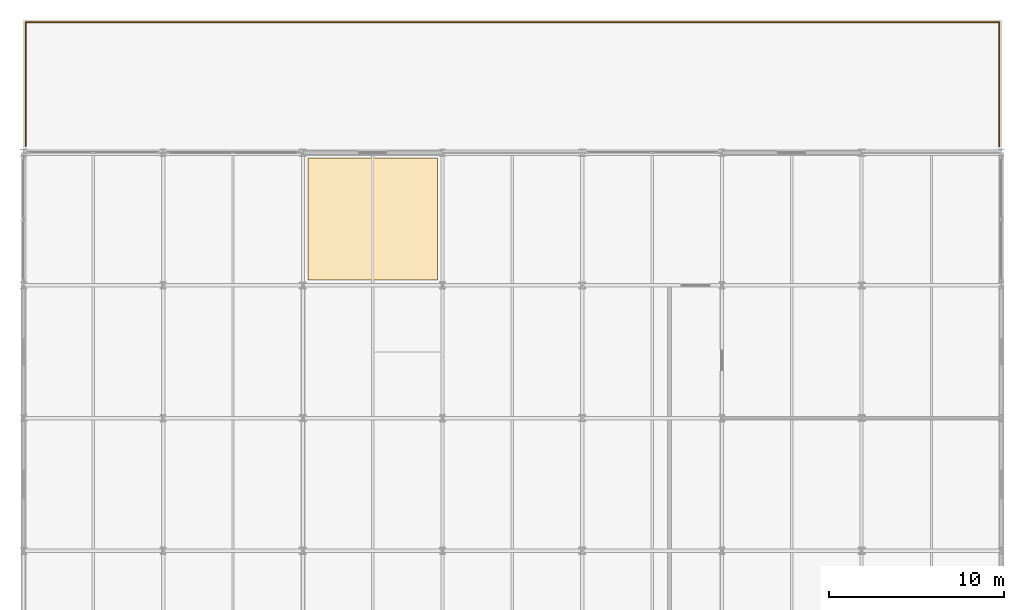
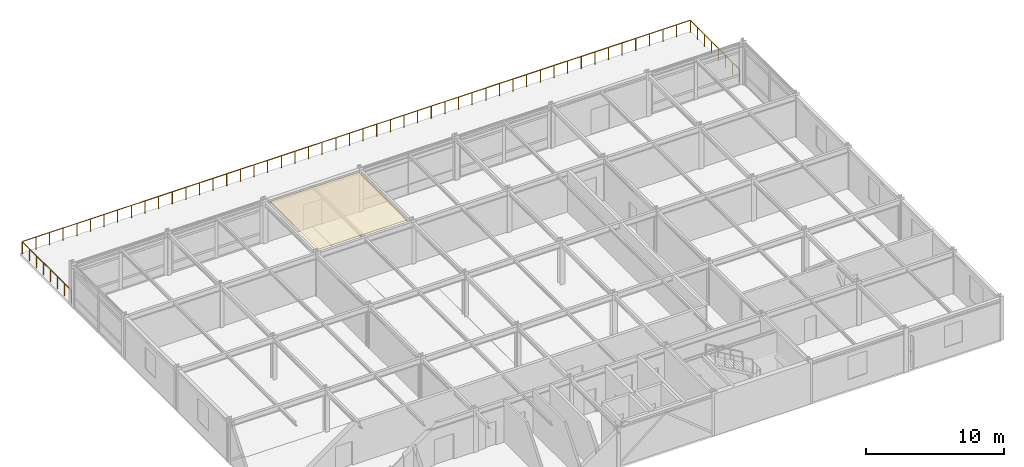
# One storey, part 17 of 17: 1 covering, 1 railing.
"""IFC4 building model written with IfcOpenShell, lengths in metres."""

from ifc_helpers import new_model, si_unit, direction, frame, origin, origin_2d, place, context, subcontext, project, spatial, polyline, circle, outline, extrude, material, layer, layer_set, type_object, element, save


model = new_model("IFC4")

# Units and contexts
model_context = context("Model", 3, precision=1e-05, world=origin(), true_north=direction((0.0, 1.0)))
body_context = subcontext(model_context, "Body", "Model", "MODEL_VIEW")
ifc_project = project(units=[si_unit("LENGTHUNIT", "METRE"), si_unit("AREAUNIT", "SQUARE_METRE"), si_unit("VOLUMEUNIT", "CUBIC_METRE"), si_unit("PLANEANGLEUNIT", "RADIAN"), si_unit("MASSUNIT", "GRAM", prefix="KILO")], contexts=[model_context])

# Site, building, storey
site_placement = place(None, origin())
site = spatial("IfcSite", under=ifc_project, at=site_placement, CompositionType="ELEMENT")
building_placement = place(site_placement, origin())
building = spatial("IfcBuilding", under=site, at=building_placement, Name="Shalkamar Park Central Library", CompositionType="ELEMENT")
storey_placement = place(building_placement, frame((0.0, 0.0, 36.0)))
storey = spatial("IfcBuildingStorey", under=building, at=storey_placement, Name="L09", CompositionType="ELEMENT", Elevation=36.0)

# Covering
ifc_material_1 = material(Name="Acoustic mineral fibre ceiling panel", Category="other")
ifc_layer = layer(ifc_material_1, 0.02490234375)
ifc_layer_set = layer_set([ifc_layer], Name="AcousticMineralCeilingTile")
covering_type = type_object("IfcCoveringType", Name="Acoustic Mineral Ceiling Tile", PredefinedType="CEILING", material=ifc_layer_set)
covering_placement = place(storey_placement, frame((0.0, 0.0, 3.655029296875)))
element("IfcCovering", 1, at=covering_placement, inside=storey, type_object=covering_type, Name="Acoustic Reading Ceiling Panel L09", PredefinedType="CEILING", context=body_context, shape_type="SweptSolid", body=[
    extrude(outline(polyline([(181.300048828125, 278.300048828125), (188.699951171875, 278.300048828125), (188.699951171875, 285.300048828125), (181.300048828125, 285.300048828125), (181.300048828125, 278.300048828125)])), origin(), (0.0, 0.0, 1.0), 0.02490234375),
])

# Railing
ifc_material_2 = material(Name="Steel S355", Category="steel")
railing_type = type_object("IfcRailingType", Name="Terrace Balustrade Guard 1100", PredefinedType="GUARDRAIL", material=ifc_material_2)
railing_placement = place(storey_placement, frame((165.1201171875, 285.9599609375, 0.0)))
element("IfcRailing", 2, at=railing_placement, inside=storey, type_object=railing_type, Name="Terrace Balustrade Guardrail TER-L09-N", PredefinedType="GUARDRAIL", context=body_context, shape_type="SweptSolid", body=[
    extrude(circle(Radius=0.02392578125, at=origin_2d()), frame((0.0, 0.0, 1.076171875), z_axis=(0.0, 1.0, 0.0), x_axis=(-1.0, 0.0, 0.0)), (0.0, 0.0, 1.0), 7.1201171875),
    extrude(circle(Radius=0.02392578125, at=origin_2d()), frame((0.0, 7.1201171875, 1.076171875), z_axis=(1.0, 0.0, 0.0), x_axis=(0.0, 1.0, 0.0)), (0.0, 0.0, 1.0), 55.759765625),
    extrude(circle(Radius=0.02392578125, at=origin_2d()), frame((55.759765625, 7.1201171875, 1.076171875), z_axis=(0.0, -1.0, 0.0), x_axis=(1.0, 0.0, 0.0)), (0.0, 0.0, 1.0), 7.1201171875),
    extrude(circle(Radius=0.02099609375, at=origin_2d()), origin(), (0.0, 0.0, 1.0), 1.052001953125),
    extrude(circle(Radius=0.02099609375, at=origin_2d()), frame((0.0, 1.01708984375, 0.0)), (0.0, 0.0, 1.0), 1.052001953125),
    extrude(circle(Radius=0.02099609375, at=origin_2d()), frame((0.0, 2.034423828125, 0.0)), (0.0, 0.0, 1.0), 1.052001953125),
    extrude(circle(Radius=0.02099609375, at=origin_2d()), frame((0.0, 3.051513671875, 0.0)), (0.0, 0.0, 1.0), 1.052001953125),
    extrude(circle(Radius=0.02099609375, at=origin_2d()), frame((0.0, 4.068603515625, 0.0)), (0.0, 0.0, 1.0), 1.052001953125),
    extrude(circle(Radius=0.02099609375, at=origin_2d()), frame((0.0, 5.085693359375, 0.0)), (0.0, 0.0, 1.0), 1.052001953125),
    extrude(circle(Radius=0.02099609375, at=origin_2d()), frame((0.0, 6.10302734375, 0.0)), (0.0, 0.0, 1.0), 1.052001953125),
    extrude(circle(Radius=0.02099609375, at=origin_2d()), frame((0.0, 7.1201171875, 0.0)), (0.0, 0.0, 1.0), 1.052001953125),
    extrude(circle(Radius=0.02099609375, at=origin_2d()), frame((1.137939453125, 7.1201171875, 0.0)), (0.0, 0.0, 1.0), 1.052001953125),
    extrude(circle(Radius=0.02099609375, at=origin_2d()), frame((2.27587890625, 7.1201171875, 0.0)), (0.0, 0.0, 1.0), 1.052001953125),
    extrude(circle(Radius=0.02099609375, at=origin_2d()), frame((3.413818359375, 7.1201171875, 0.0)), (0.0, 0.0, 1.0), 1.052001953125),
    extrude(circle(Radius=0.02099609375, at=origin_2d()), frame((4.5517578125, 7.1201171875, 0.0)), (0.0, 0.0, 1.0), 1.052001953125),
    extrude(circle(Radius=0.02099609375, at=origin_2d()), frame((5.689697265625, 7.1201171875, 0.0)), (0.0, 0.0, 1.0), 1.052001953125),
    extrude(circle(Radius=0.02099609375, at=origin_2d()), frame((6.82763671875, 7.1201171875, 0.0)), (0.0, 0.0, 1.0), 1.052001953125),
    extrude(circle(Radius=0.02099609375, at=origin_2d()), frame((7.965576171875, 7.1201171875, 0.0)), (0.0, 0.0, 1.0), 1.052001953125),
    extrude(circle(Radius=0.02099609375, at=origin_2d()), frame((9.103515625, 7.1201171875, 0.0)), (0.0, 0.0, 1.0), 1.052001953125),
    extrude(circle(Radius=0.02099609375, at=origin_2d()), frame((10.24169921875, 7.1201171875, 0.0)), (0.0, 0.0, 1.0), 1.052001953125),
    extrude(circle(Radius=0.02099609375, at=origin_2d()), frame((11.379638671875, 7.1201171875, 0.0)), (0.0, 0.0, 1.0), 1.052001953125),
    extrude(circle(Radius=0.02099609375, at=origin_2d()), frame((12.517578125, 7.1201171875, 0.0)), (0.0, 0.0, 1.0), 1.052001953125),
    extrude(circle(Radius=0.02099609375, at=origin_2d()), frame((13.655517578125, 7.1201171875, 0.0)), (0.0, 0.0, 1.0), 1.052001953125),
    extrude(circle(Radius=0.02099609375, at=origin_2d()), frame((14.79345703125, 7.1201171875, 0.0)), (0.0, 0.0, 1.0), 1.052001953125),
    extrude(circle(Radius=0.02099609375, at=origin_2d()), frame((15.931396484375, 7.1201171875, 0.0)), (0.0, 0.0, 1.0), 1.052001953125),
    extrude(circle(Radius=0.02099609375, at=origin_2d()), frame((17.0693359375, 7.1201171875, 0.0)), (0.0, 0.0, 1.0), 1.052001953125),
    extrude(circle(Radius=0.02099609375, at=origin_2d()), frame((18.207275390625, 7.1201171875, 0.0)), (0.0, 0.0, 1.0), 1.052001953125),
    extrude(circle(Radius=0.02099609375, at=origin_2d()), frame((19.34521484375, 7.1201171875, 0.0)), (0.0, 0.0, 1.0), 1.052001953125),
    extrude(circle(Radius=0.02099609375, at=origin_2d()), frame((20.483154296875, 7.1201171875, 0.0)), (0.0, 0.0, 1.0), 1.052001953125),
    extrude(circle(Radius=0.02099609375, at=origin_2d()), frame((21.62109375, 7.1201171875, 0.0)), (0.0, 0.0, 1.0), 1.052001953125),
    extrude(circle(Radius=0.02099609375, at=origin_2d()), frame((22.759033203125, 7.1201171875, 0.0)), (0.0, 0.0, 1.0), 1.052001953125),
    extrude(circle(Radius=0.02099609375, at=origin_2d()), frame((23.89697265625, 7.1201171875, 0.0)), (0.0, 0.0, 1.0), 1.052001953125),
    extrude(circle(Radius=0.02099609375, at=origin_2d()), frame((25.034912109375, 7.1201171875, 0.0)), (0.0, 0.0, 1.0), 1.052001953125),
    extrude(circle(Radius=0.02099609375, at=origin_2d()), frame((26.1728515625, 7.1201171875, 0.0)), (0.0, 0.0, 1.0), 1.052001953125),
    extrude(circle(Radius=0.02099609375, at=origin_2d()), frame((27.310791015625, 7.1201171875, 0.0)), (0.0, 0.0, 1.0), 1.052001953125),
    extrude(circle(Radius=0.02099609375, at=origin_2d()), frame((28.448974609375, 7.1201171875, 0.0)), (0.0, 0.0, 1.0), 1.052001953125),
    extrude(circle(Radius=0.02099609375, at=origin_2d()), frame((29.5869140625, 7.1201171875, 0.0)), (0.0, 0.0, 1.0), 1.052001953125),
    extrude(circle(Radius=0.02099609375, at=origin_2d()), frame((30.724853515625, 7.1201171875, 0.0)), (0.0, 0.0, 1.0), 1.052001953125),
    extrude(circle(Radius=0.02099609375, at=origin_2d()), frame((31.86279296875, 7.1201171875, 0.0)), (0.0, 0.0, 1.0), 1.052001953125),
    extrude(circle(Radius=0.02099609375, at=origin_2d()), frame((33.000732421875, 7.1201171875, 0.0)), (0.0, 0.0, 1.0), 1.052001953125),
    extrude(circle(Radius=0.02099609375, at=origin_2d()), frame((34.138671875, 7.1201171875, 0.0)), (0.0, 0.0, 1.0), 1.052001953125),
    extrude(circle(Radius=0.02099609375, at=origin_2d()), frame((35.276611328125, 7.1201171875, 0.0)), (0.0, 0.0, 1.0), 1.052001953125),
    extrude(circle(Radius=0.02099609375, at=origin_2d()), frame((36.41455078125, 7.1201171875, 0.0)), (0.0, 0.0, 1.0), 1.052001953125),
    extrude(circle(Radius=0.02099609375, at=origin_2d()), frame((37.552490234375, 7.1201171875, 0.0)), (0.0, 0.0, 1.0), 1.052001953125),
    extrude(circle(Radius=0.02099609375, at=origin_2d()), frame((38.6904296875, 7.1201171875, 0.0)), (0.0, 0.0, 1.0), 1.052001953125),
    extrude(circle(Radius=0.02099609375, at=origin_2d()), frame((39.828369140625, 7.1201171875, 0.0)), (0.0, 0.0, 1.0), 1.052001953125),
    extrude(circle(Radius=0.02099609375, at=origin_2d()), frame((40.96630859375, 7.1201171875, 0.0)), (0.0, 0.0, 1.0), 1.052001953125),
    extrude(circle(Radius=0.02099609375, at=origin_2d()), frame((42.104248046875, 7.1201171875, 0.0)), (0.0, 0.0, 1.0), 1.052001953125),
    extrude(circle(Radius=0.02099609375, at=origin_2d()), frame((43.2421875, 7.1201171875, 0.0)), (0.0, 0.0, 1.0), 1.052001953125),
    extrude(circle(Radius=0.02099609375, at=origin_2d()), frame((44.380126953125, 7.1201171875, 0.0)), (0.0, 0.0, 1.0), 1.052001953125),
    extrude(circle(Radius=0.02099609375, at=origin_2d()), frame((45.51806640625, 7.1201171875, 0.0)), (0.0, 0.0, 1.0), 1.052001953125),
    extrude(circle(Radius=0.02099609375, at=origin_2d()), frame((46.65625, 7.1201171875, 0.0)), (0.0, 0.0, 1.0), 1.052001953125),
    extrude(circle(Radius=0.02099609375, at=origin_2d()), frame((47.794189453125, 7.1201171875, 0.0)), (0.0, 0.0, 1.0), 1.052001953125),
    extrude(circle(Radius=0.02099609375, at=origin_2d()), frame((48.93212890625, 7.1201171875, 0.0)), (0.0, 0.0, 1.0), 1.052001953125),
    extrude(circle(Radius=0.02099609375, at=origin_2d()), frame((50.070068359375, 7.1201171875, 0.0)), (0.0, 0.0, 1.0), 1.052001953125),
    extrude(circle(Radius=0.02099609375, at=origin_2d()), frame((51.2080078125, 7.1201171875, 0.0)), (0.0, 0.0, 1.0), 1.052001953125),
    extrude(circle(Radius=0.02099609375, at=origin_2d()), frame((52.345947265625, 7.1201171875, 0.0)), (0.0, 0.0, 1.0), 1.052001953125),
    extrude(circle(Radius=0.02099609375, at=origin_2d()), frame((53.48388671875, 7.1201171875, 0.0)), (0.0, 0.0, 1.0), 1.052001953125),
    extrude(circle(Radius=0.02099609375, at=origin_2d()), frame((54.621826171875, 7.1201171875, 0.0)), (0.0, 0.0, 1.0), 1.052001953125),
    extrude(circle(Radius=0.02099609375, at=origin_2d()), frame((55.759765625, 7.1201171875, 0.0)), (0.0, 0.0, 1.0), 1.052001953125),
    extrude(circle(Radius=0.02099609375, at=origin_2d()), frame((55.759765625, 6.10302734375, 0.0)), (0.0, 0.0, 1.0), 1.052001953125),
    extrude(circle(Radius=0.02099609375, at=origin_2d()), frame((55.759765625, 5.085693359375, 0.0)), (0.0, 0.0, 1.0), 1.052001953125),
    extrude(circle(Radius=0.02099609375, at=origin_2d()), frame((55.759765625, 4.068603515625, 0.0)), (0.0, 0.0, 1.0), 1.052001953125),
    extrude(circle(Radius=0.02099609375, at=origin_2d()), frame((55.759765625, 3.051513671875, 0.0)), (0.0, 0.0, 1.0), 1.052001953125),
    extrude(circle(Radius=0.02099609375, at=origin_2d()), frame((55.759765625, 2.034423828125, 0.0)), (0.0, 0.0, 1.0), 1.052001953125),
    extrude(circle(Radius=0.02099609375, at=origin_2d()), frame((55.759765625, 1.01708984375, 0.0)), (0.0, 0.0, 1.0), 1.052001953125),
    extrude(circle(Radius=0.02099609375, at=origin_2d()), frame((55.759765625, 0.0, 0.0)), (0.0, 0.0, 1.0), 1.052001953125),
])

save(model, "model.ifc")
